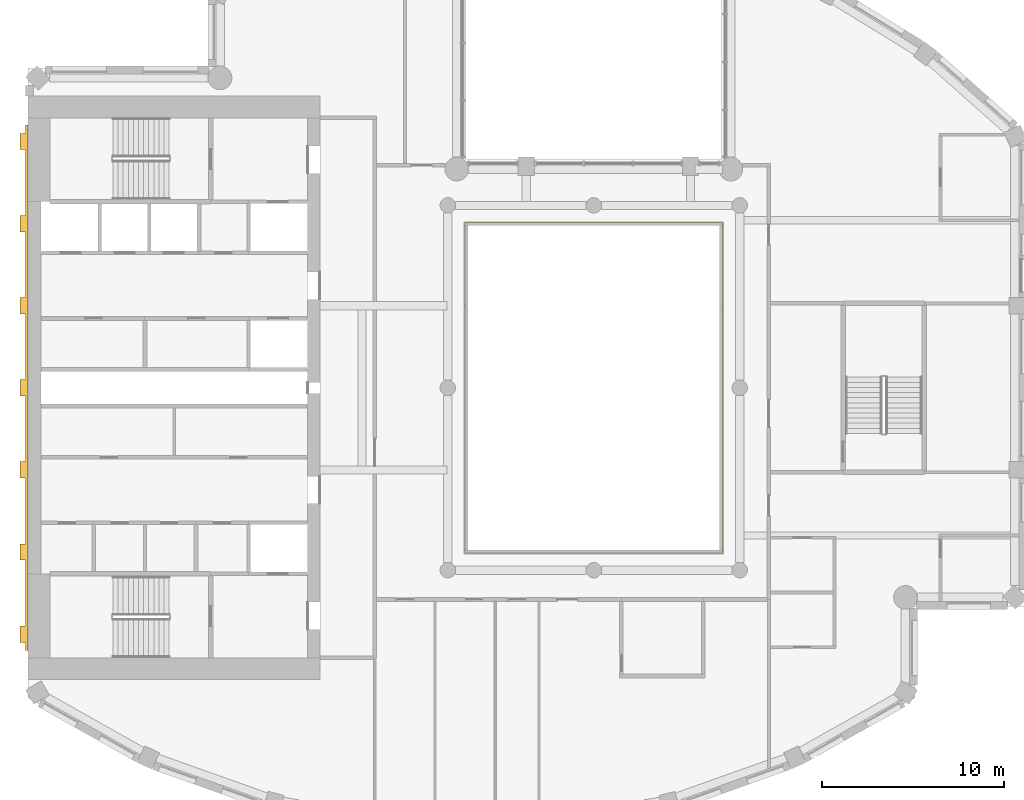
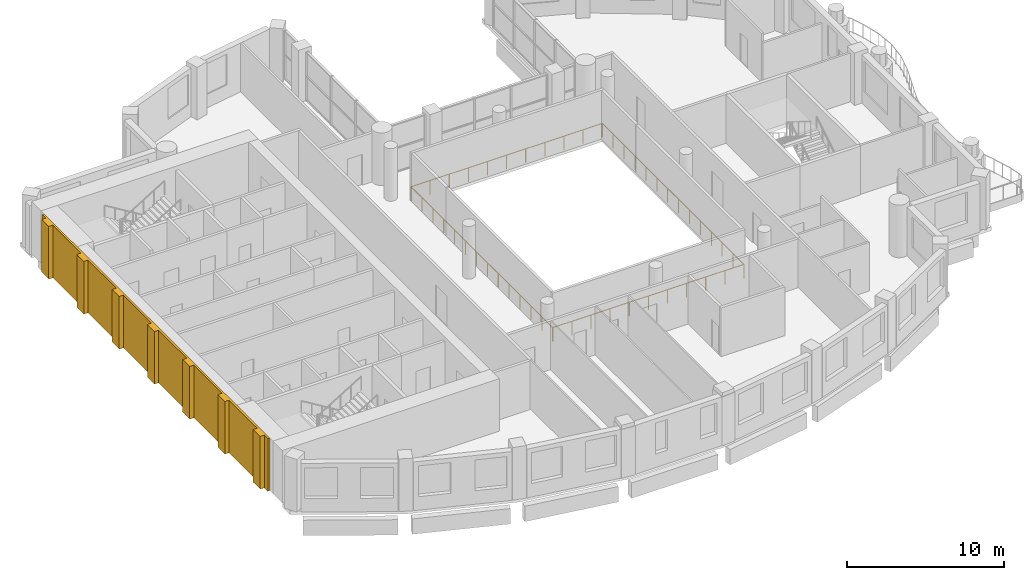
# One storey, part 11 of 14: 1 covering, 1 railing.
"""IFC4 building model written with IfcOpenShell, lengths in metres."""

from ifc_helpers import new_model, si_unit, direction, frame, origin, origin_2d, place, context, subcontext, project, spatial, polyline, rectangle, outline, extrude, material, layer, layer_set, type_object, element, save


model = new_model("IFC4")

# Units and contexts
model_context = context("Model", 3, precision=1e-05, world=origin(), true_north=direction((0.0, 1.0)))
body_context = subcontext(model_context, "Body", "Model", "MODEL_VIEW")
ifc_project = project(units=[si_unit("LENGTHUNIT", "METRE"), si_unit("AREAUNIT", "SQUARE_METRE"), si_unit("VOLUMEUNIT", "CUBIC_METRE"), si_unit("PLANEANGLEUNIT", "RADIAN"), si_unit("MASSUNIT", "GRAM", prefix="KILO")], contexts=[model_context])

# Site, building, storey
site_placement = place(None, origin())
site = spatial("IfcSite", under=ifc_project, at=site_placement, CompositionType="ELEMENT")
building_placement = place(site_placement, origin())
building = spatial("IfcBuilding", under=site, at=building_placement, Name="Cypress Arch Tower", CompositionType="ELEMENT")
storey_placement = place(building_placement, frame((0.0, 0.0, 296.699951171875)))
storey = spatial("IfcBuildingStorey", under=building, at=storey_placement, Name="L67", CompositionType="ELEMENT", Elevation=296.699951171875)

# Railing
ifc_material_1 = material(Name="Stainless steel posts and handrail, laminated glass infill", Category="steel")
railing_type = type_object("IfcRailingType", Name="Atrium guard GR1100A", PredefinedType="GUARDRAIL", material=ifc_material_1)
railing_placement = place(storey_placement, frame((8.050048828125, -9.050048828125, 0.0)))
element("IfcRailing", 1, at=railing_placement, inside=storey, type_object=railing_type, Name="Atrium guard L67", PredefinedType="GUARDRAIL", context=body_context, shape_type="SweptSolid", body=[
    extrude(rectangle(XDim=0.050048828125, YDim=0.050048828125, at=origin_2d()), frame((0.0, 0.0, 1.0751953125), z_axis=(-1.0, 0.0, 0.0), x_axis=(0.0, -1.0, 0.0)), (0.0, 0.0, 1.0), 14.10009765625),
    extrude(rectangle(XDim=0.050048828125, YDim=0.050048828125, at=origin_2d()), frame((-14.10009765625, 0.0, 1.0751953125), z_axis=(0.0, 1.0, 0.0), x_axis=(-1.0, 0.0, 0.0)), (0.0, 0.0, 1.0), 18.10009765625),
    extrude(rectangle(XDim=0.050048828125, YDim=0.050048828125, at=origin_2d()), frame((-14.10009765625, 18.10009765625, 1.0751953125), z_axis=(1.0, 0.0, 0.0), x_axis=(0.0, 1.0, 0.0)), (0.0, 0.0, 1.0), 14.10009765625),
    extrude(rectangle(XDim=0.050048828125, YDim=0.050048828125, at=origin_2d()), frame((0.0, 18.10009765625, 1.0751953125), z_axis=(0.0, -1.0, 0.0), x_axis=(1.0, 0.0, 0.0)), (0.0, 0.0, 1.0), 18.10009765625),
    extrude(rectangle(XDim=0.050048828125, YDim=0.050048828125, at=origin_2d()), origin(), (0.0, 0.0, 1.0), 1.050048828125),
    extrude(rectangle(XDim=0.050048828125, YDim=0.050048828125, at=origin_2d()), frame((-1.409912109375, 0.0, 0.0)), (0.0, 0.0, 1.0), 1.050048828125),
    extrude(rectangle(XDim=0.050048828125, YDim=0.050048828125, at=origin_2d()), frame((-2.820068359375, 0.0, 0.0)), (0.0, 0.0, 1.0), 1.050048828125),
    extrude(rectangle(XDim=0.050048828125, YDim=0.050048828125, at=origin_2d()), frame((-4.22998046875, 0.0, 0.0)), (0.0, 0.0, 1.0), 1.050048828125),
    extrude(rectangle(XDim=0.050048828125, YDim=0.050048828125, at=origin_2d()), frame((-5.64013671875, 0.0, 0.0)), (0.0, 0.0, 1.0), 1.050048828125),
    extrude(rectangle(XDim=0.050048828125, YDim=0.050048828125, at=origin_2d()), frame((-7.050048828125, 0.0, 0.0)), (0.0, 0.0, 1.0), 1.050048828125),
    extrude(rectangle(XDim=0.050048828125, YDim=0.050048828125, at=origin_2d()), frame((-8.4599609375, 0.0, 0.0)), (0.0, 0.0, 1.0), 1.050048828125),
    extrude(rectangle(XDim=0.050048828125, YDim=0.050048828125, at=origin_2d()), frame((-9.8701171875, 0.0, 0.0)), (0.0, 0.0, 1.0), 1.050048828125),
    extrude(rectangle(XDim=0.050048828125, YDim=0.050048828125, at=origin_2d()), frame((-11.280029296875, 0.0, 0.0)), (0.0, 0.0, 1.0), 1.050048828125),
    extrude(rectangle(XDim=0.050048828125, YDim=0.050048828125, at=origin_2d()), frame((-12.690185546875, 0.0, 0.0)), (0.0, 0.0, 1.0), 1.050048828125),
    extrude(rectangle(XDim=0.050048828125, YDim=0.050048828125, at=origin_2d()), frame((-14.10009765625, 0.0, 0.0)), (0.0, 0.0, 1.0), 1.050048828125),
    extrude(rectangle(XDim=0.050048828125, YDim=0.050048828125, at=origin_2d()), frame((-14.10009765625, 1.392333984375, 0.0)), (0.0, 0.0, 1.0), 1.050048828125),
    extrude(rectangle(XDim=0.050048828125, YDim=0.050048828125, at=origin_2d()), frame((-14.10009765625, 2.78466796875, 0.0)), (0.0, 0.0, 1.0), 1.050048828125),
    extrude(rectangle(XDim=0.050048828125, YDim=0.050048828125, at=origin_2d()), frame((-14.10009765625, 4.177001953125, 0.0)), (0.0, 0.0, 1.0), 1.050048828125),
    extrude(rectangle(XDim=0.050048828125, YDim=0.050048828125, at=origin_2d()), frame((-14.10009765625, 5.5693359375, 0.0)), (0.0, 0.0, 1.0), 1.050048828125),
    extrude(rectangle(XDim=0.050048828125, YDim=0.050048828125, at=origin_2d()), frame((-14.10009765625, 6.961669921875, 0.0)), (0.0, 0.0, 1.0), 1.050048828125),
    extrude(rectangle(XDim=0.050048828125, YDim=0.050048828125, at=origin_2d()), frame((-14.10009765625, 8.35400390625, 0.0)), (0.0, 0.0, 1.0), 1.050048828125),
    extrude(rectangle(XDim=0.050048828125, YDim=0.050048828125, at=origin_2d()), frame((-14.10009765625, 9.74609375, 0.0)), (0.0, 0.0, 1.0), 1.050048828125),
    extrude(rectangle(XDim=0.050048828125, YDim=0.050048828125, at=origin_2d()), frame((-14.10009765625, 11.138427734375, 0.0)), (0.0, 0.0, 1.0), 1.050048828125),
    extrude(rectangle(XDim=0.050048828125, YDim=0.050048828125, at=origin_2d()), frame((-14.10009765625, 12.53076171875, 0.0)), (0.0, 0.0, 1.0), 1.050048828125),
    extrude(rectangle(XDim=0.050048828125, YDim=0.050048828125, at=origin_2d()), frame((-14.10009765625, 13.923095703125, 0.0)), (0.0, 0.0, 1.0), 1.050048828125),
    extrude(rectangle(XDim=0.050048828125, YDim=0.050048828125, at=origin_2d()), frame((-14.10009765625, 15.3154296875, 0.0)), (0.0, 0.0, 1.0), 1.050048828125),
    extrude(rectangle(XDim=0.050048828125, YDim=0.050048828125, at=origin_2d()), frame((-14.10009765625, 16.707763671875, 0.0)), (0.0, 0.0, 1.0), 1.050048828125),
    extrude(rectangle(XDim=0.050048828125, YDim=0.050048828125, at=origin_2d()), frame((-14.10009765625, 18.10009765625, 0.0)), (0.0, 0.0, 1.0), 1.050048828125),
    extrude(rectangle(XDim=0.050048828125, YDim=0.050048828125, at=origin_2d()), frame((-12.690185546875, 18.10009765625, 0.0)), (0.0, 0.0, 1.0), 1.050048828125),
    extrude(rectangle(XDim=0.050048828125, YDim=0.050048828125, at=origin_2d()), frame((-11.280029296875, 18.10009765625, 0.0)), (0.0, 0.0, 1.0), 1.050048828125),
    extrude(rectangle(XDim=0.050048828125, YDim=0.050048828125, at=origin_2d()), frame((-9.8701171875, 18.10009765625, 0.0)), (0.0, 0.0, 1.0), 1.050048828125),
    extrude(rectangle(XDim=0.050048828125, YDim=0.050048828125, at=origin_2d()), frame((-8.4599609375, 18.10009765625, 0.0)), (0.0, 0.0, 1.0), 1.050048828125),
    extrude(rectangle(XDim=0.050048828125, YDim=0.050048828125, at=origin_2d()), frame((-7.050048828125, 18.10009765625, 0.0)), (0.0, 0.0, 1.0), 1.050048828125),
    extrude(rectangle(XDim=0.050048828125, YDim=0.050048828125, at=origin_2d()), frame((-5.64013671875, 18.10009765625, 0.0)), (0.0, 0.0, 1.0), 1.050048828125),
    extrude(rectangle(XDim=0.050048828125, YDim=0.050048828125, at=origin_2d()), frame((-4.22998046875, 18.10009765625, 0.0)), (0.0, 0.0, 1.0), 1.050048828125),
    extrude(rectangle(XDim=0.050048828125, YDim=0.050048828125, at=origin_2d()), frame((-2.820068359375, 18.10009765625, 0.0)), (0.0, 0.0, 1.0), 1.050048828125),
    extrude(rectangle(XDim=0.050048828125, YDim=0.050048828125, at=origin_2d()), frame((-1.409912109375, 18.10009765625, 0.0)), (0.0, 0.0, 1.0), 1.050048828125),
    extrude(rectangle(XDim=0.050048828125, YDim=0.050048828125, at=origin_2d()), frame((0.0, 18.10009765625, 0.0)), (0.0, 0.0, 1.0), 1.050048828125),
    extrude(rectangle(XDim=0.050048828125, YDim=0.050048828125, at=origin_2d()), frame((0.0, 16.707763671875, 0.0)), (0.0, 0.0, 1.0), 1.050048828125),
    extrude(rectangle(XDim=0.050048828125, YDim=0.050048828125, at=origin_2d()), frame((0.0, 15.3154296875, 0.0)), (0.0, 0.0, 1.0), 1.050048828125),
    extrude(rectangle(XDim=0.050048828125, YDim=0.050048828125, at=origin_2d()), frame((0.0, 13.923095703125, 0.0)), (0.0, 0.0, 1.0), 1.050048828125),
    extrude(rectangle(XDim=0.050048828125, YDim=0.050048828125, at=origin_2d()), frame((0.0, 12.53076171875, 0.0)), (0.0, 0.0, 1.0), 1.050048828125),
    extrude(rectangle(XDim=0.050048828125, YDim=0.050048828125, at=origin_2d()), frame((0.0, 11.138427734375, 0.0)), (0.0, 0.0, 1.0), 1.050048828125),
    extrude(rectangle(XDim=0.050048828125, YDim=0.050048828125, at=origin_2d()), frame((0.0, 9.74609375, 0.0)), (0.0, 0.0, 1.0), 1.050048828125),
    extrude(rectangle(XDim=0.050048828125, YDim=0.050048828125, at=origin_2d()), frame((0.0, 8.35400390625, 0.0)), (0.0, 0.0, 1.0), 1.050048828125),
    extrude(rectangle(XDim=0.050048828125, YDim=0.050048828125, at=origin_2d()), frame((0.0, 6.961669921875, 0.0)), (0.0, 0.0, 1.0), 1.050048828125),
    extrude(rectangle(XDim=0.050048828125, YDim=0.050048828125, at=origin_2d()), frame((0.0, 5.5693359375, 0.0)), (0.0, 0.0, 1.0), 1.050048828125),
    extrude(rectangle(XDim=0.050048828125, YDim=0.050048828125, at=origin_2d()), frame((0.0, 4.177001953125, 0.0)), (0.0, 0.0, 1.0), 1.050048828125),
    extrude(rectangle(XDim=0.050048828125, YDim=0.050048828125, at=origin_2d()), frame((0.0, 2.78466796875, 0.0)), (0.0, 0.0, 1.0), 1.050048828125),
    extrude(rectangle(XDim=0.050048828125, YDim=0.050048828125, at=origin_2d()), frame((0.0, 1.392333984375, 0.0)), (0.0, 0.0, 1.0), 1.050048828125),
])

# Covering
ifc_material_2 = material(Name="Brick (red buff blend)", Category="masonry")
ifc_layer = layer(ifc_material_2, 0.449951171875)
ifc_layer_set = layer_set([ifc_layer], Name="West face brick piers WP450")
covering_type = type_object("IfcCoveringType", Name="West face brick piers WP450", PredefinedType="CLADDING", material=ifc_layer_set)
covering_placement = place(storey_placement, origin())
element("IfcCovering", 2, at=covering_placement, inside=storey, type_object=covering_type, Name="West face brick piers L67", PredefinedType="CLADDING", context=body_context, shape_type="SweptSolid", body=[
    extrude(outline(polyline([(-30.14990234375, -13.050048828125), (-30.14990234375, -9.449951171875), (-30.449951171875, -9.449951171875), (-30.449951171875, -8.550048828125), (-30.14990234375, -8.550048828125), (-30.14990234375, -4.949951171875), (-30.449951171875, -4.949951171875), (-30.449951171875, -4.050048828125), (-30.14990234375, -4.050048828125), (-30.14990234375, -0.449951171875), (-30.449951171875, -0.449951171875), (-30.449951171875, 0.449951171875), (-30.14990234375, 0.449951171875), (-30.14990234375, 4.050048828125), (-30.449951171875, 4.050048828125), (-30.449951171875, 4.949951171875), (-30.14990234375, 4.949951171875), (-30.14990234375, 8.550048828125), (-30.449951171875, 8.550048828125), (-30.449951171875, 9.449951171875), (-30.14990234375, 9.449951171875), (-30.14990234375, 13.050048828125), (-30.449951171875, 13.050048828125), (-30.449951171875, 13.949951171875), (-30.14990234375, 13.949951171875), (-30.14990234375, 14.39990234375), (-30.0, 14.39990234375), (-30.0, -14.39990234375), (-30.14990234375, -14.39990234375), (-30.14990234375, -13.949951171875), (-30.449951171875, -13.949951171875), (-30.449951171875, -13.050048828125), (-30.14990234375, -13.050048828125)])), origin(), (0.0, 0.0, 1.0), 4.10009765625),
])

save(model, "model.ifc")
